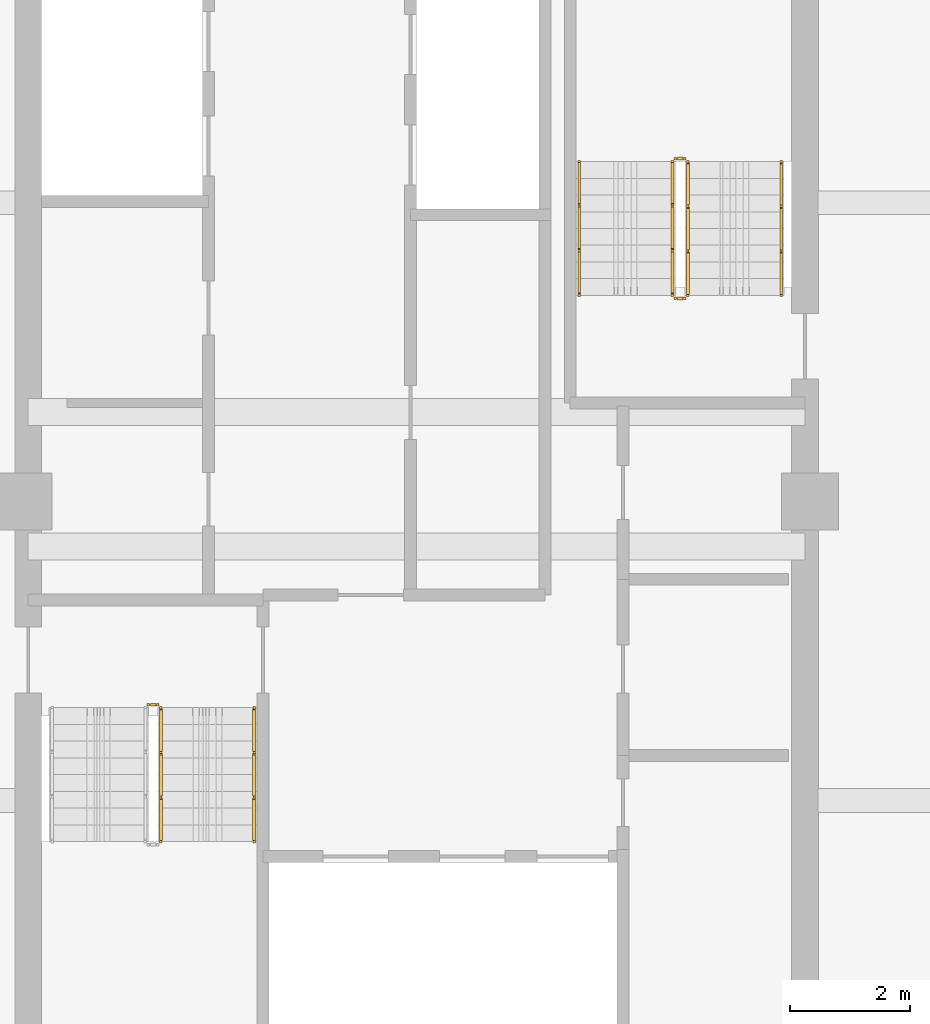
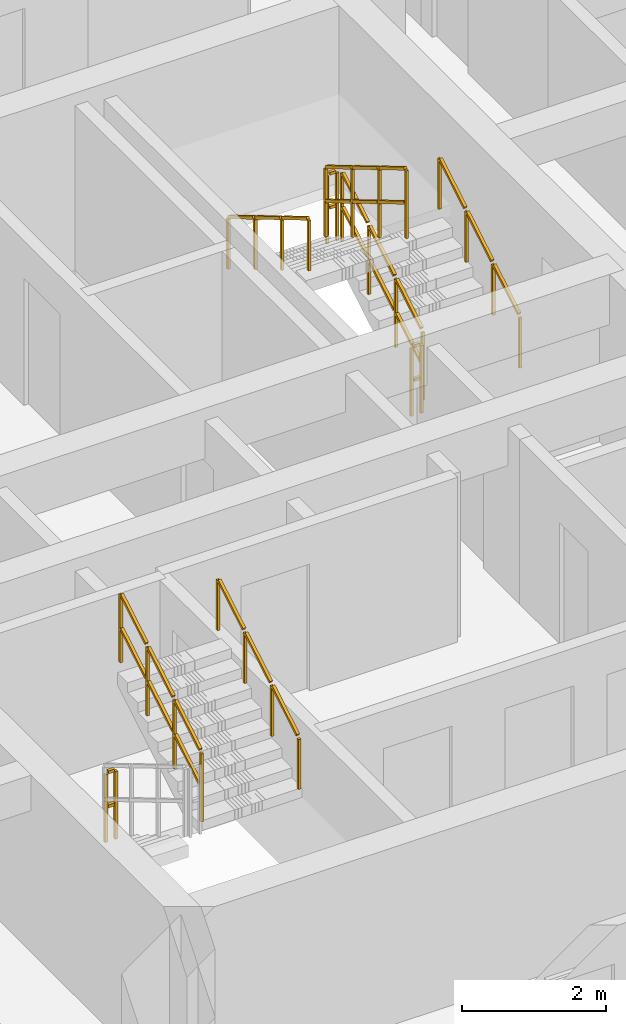
# One storey, part 12 of 14: 9 railings.
"""IFC4 building model written with IfcOpenShell, lengths in metres."""

from ifc_helpers import new_model, si_unit, direction, frame, origin, origin_2d, place, context, subcontext, project, spatial, rectangle, extrude, material, type_object, element, save


model = new_model("IFC4")

# Units and contexts
model_context = context("Model", 3, precision=1e-05, world=origin(), true_north=direction((0.0, 1.0)))
body_context = subcontext(model_context, "Body", "Model", "MODEL_VIEW")
ifc_project = project(units=[si_unit("LENGTHUNIT", "METRE"), si_unit("AREAUNIT", "SQUARE_METRE"), si_unit("VOLUMEUNIT", "CUBIC_METRE"), si_unit("PLANEANGLEUNIT", "RADIAN"), si_unit("MASSUNIT", "GRAM", prefix="KILO")], contexts=[model_context])

# Site, building, storey
site_placement = place(None, origin())
site = spatial("IfcSite", under=ifc_project, at=site_placement, CompositionType="ELEMENT")
building_placement = place(site_placement, origin())
building = spatial("IfcBuilding", under=site, at=building_placement, Name="Saelheon Loggia Tower", CompositionType="ELEMENT")
storey_placement = place(building_placement, frame((0.0, 0.0, 233.10009765625)))
storey = spatial("IfcBuildingStorey", under=building, at=storey_placement, Name="L72", CompositionType="ELEMENT", Elevation=233.10009765625)

# Railings
ifc_material_1 = material(Name="Galvanised Steel S275 Stairwell Guardrail", Category="steel")
railing_type_1 = type_object("IfcRailingType", Name="Guard_StairWell_RL_STG", PredefinedType="GUARDRAIL", material=ifc_material_1)
railing_1_placement = place(storey_placement, frame((33.719970703125, 21.31005859375, 1.66650390625)))
element("IfcRailing", 1, at=railing_1_placement, inside=storey, type_object=railing_type_1, Name="L72 ST1 stair guard 3", PredefinedType="GUARDRAIL", context=body_context, shape_type="SweptSolid", body=[
    extrude(rectangle(XDim=0.048095703125, YDim=0.048095703125, at=origin_2d()), frame((0.0, 0.028564453125, 1.19287109375), z_axis=(0.0, 0.859264461869, 0.511531606619), x_axis=(-1.0, 0.0, 0.0)), (0.0, 0.0, 1.0), 0.802490234375),
    extrude(rectangle(XDim=0.048095703125, YDim=0.048095703125, at=origin_2d()), frame((0.0, 0.028564453125, 0.616943359375), z_axis=(0.0, 0.859264461869, 0.511531606619), x_axis=(-1.0, 0.0, 0.0)), (0.0, 0.0, 1.0), 0.802490234375),
    extrude(rectangle(XDim=0.048095703125, YDim=0.048095703125, at=origin_2d()), frame((0.0, 0.775146484375, 1.637451171875), z_axis=(0.0, 0.859264461869, 0.511531606619), x_axis=(-1.0, 0.0, 0.0)), (0.0, 0.0, 1.0), 0.802490234375),
    extrude(rectangle(XDim=0.048095703125, YDim=0.048095703125, at=origin_2d()), frame((0.0, 0.775146484375, 1.0615234375), z_axis=(0.0, 0.859264461869, 0.511531606619), x_axis=(-1.0, 0.0, 0.0)), (0.0, 0.0, 1.0), 0.802490234375),
    extrude(rectangle(XDim=0.048095703125, YDim=0.048095703125, at=origin_2d()), frame((0.0, 1.52197265625, 2.081787109375), z_axis=(0.0, 0.859264461869, 0.511531606619), x_axis=(-1.0, 0.0, 0.0)), (0.0, 0.0, 1.0), 0.802490234375),
    extrude(rectangle(XDim=0.048095703125, YDim=0.048095703125, at=origin_2d()), frame((0.0, 1.52197265625, 1.505859375), z_axis=(0.0, 0.859264461869, 0.511531606619), x_axis=(-1.0, 0.0, 0.0)), (0.0, 0.0, 1.0), 0.802490234375),
    extrude(rectangle(XDim=0.0419921875, YDim=0.0419921875, at=origin_2d()), origin(), (0.0, 0.0, 1.0), 1.14794921875),
    extrude(rectangle(XDim=0.0419921875, YDim=0.0419921875, at=origin_2d()), frame((0.0, 0.74658203125, 0.444580078125)), (0.0, 0.0, 1.0), 1.14794921875),
    extrude(rectangle(XDim=0.0419921875, YDim=0.0419921875, at=origin_2d()), frame((0.0, 1.493408203125, 0.888916015625)), (0.0, 0.0, 1.0), 1.14794921875),
    extrude(rectangle(XDim=0.0419921875, YDim=0.0419921875, at=origin_2d()), frame((0.0, 2.239990234375, 1.33349609375)), (0.0, 0.0, 1.0), 1.14794921875),
])
railing_2_placement = place(storey_placement, frame((33.510009765625, 23.60009765625, 0.0)))
element("IfcRailing", 2, at=railing_2_placement, inside=storey, type_object=railing_type_1, Name="L72 ST1 stair guard 4", PredefinedType="GUARDRAIL", context=body_context, shape_type="SweptSolid", body=[
    extrude(rectangle(XDim=0.048095703125, YDim=0.048095703125, at=origin_2d()), frame((0.033203125, 0.0, 1.17578125), z_axis=(1.0, 0.0, 0.0), x_axis=(0.0, 1.0, 0.0)), (0.0, 0.0, 1.0), 0.093505859375),
    extrude(rectangle(XDim=0.048095703125, YDim=0.048095703125, at=origin_2d()), frame((0.033203125, 0.0, 0.60009765625), z_axis=(1.0, 0.0, 0.0), x_axis=(0.0, 1.0, 0.0)), (0.0, 0.0, 1.0), 0.093505859375),
    extrude(rectangle(XDim=0.0419921875, YDim=0.0419921875, at=origin_2d()), origin(), (0.0, 0.0, 1.0), 1.14794921875),
    extrude(rectangle(XDim=0.0419921875, YDim=0.0419921875, at=origin_2d()), frame((0.159912109375, 0.0, 0.0)), (0.0, 0.0, 1.0), 1.14794921875),
])
railing_3_placement = place(storey_placement, frame((42.5400390625, 30.449951171875, 0.16650390625)))
element("IfcRailing", 3, at=railing_3_placement, inside=storey, type_object=railing_type_1, Name="L72 ST2 stair guard 1", PredefinedType="GUARDRAIL", context=body_context, shape_type="SweptSolid", body=[
    extrude(rectangle(XDim=0.048095703125, YDim=0.048095703125, at=origin_2d()), frame((0.0, 0.028564453125, 1.19287109375), z_axis=(0.0, 0.859264461869, 0.511531606619), x_axis=(-1.0, 0.0, 0.0)), (0.0, 0.0, 1.0), 0.802490234375),
    extrude(rectangle(XDim=0.048095703125, YDim=0.048095703125, at=origin_2d()), frame((0.0, 0.028564453125, 0.616943359375), z_axis=(0.0, 0.859264461869, 0.511531606619), x_axis=(-1.0, 0.0, 0.0)), (0.0, 0.0, 1.0), 0.802490234375),
    extrude(rectangle(XDim=0.048095703125, YDim=0.048095703125, at=origin_2d()), frame((0.0, 0.775146484375, 1.637451171875), z_axis=(0.0, 0.859264461869, 0.511531606619), x_axis=(-1.0, 0.0, 0.0)), (0.0, 0.0, 1.0), 0.802490234375),
    extrude(rectangle(XDim=0.048095703125, YDim=0.048095703125, at=origin_2d()), frame((0.0, 0.775146484375, 1.0615234375), z_axis=(0.0, 0.859264461869, 0.511531606619), x_axis=(-1.0, 0.0, 0.0)), (0.0, 0.0, 1.0), 0.802490234375),
    extrude(rectangle(XDim=0.048095703125, YDim=0.048095703125, at=origin_2d()), frame((0.0, 1.52197265625, 2.081787109375), z_axis=(0.0, 0.859264461869, 0.511531606619), x_axis=(-1.0, 0.0, 0.0)), (0.0, 0.0, 1.0), 0.802490234375),
    extrude(rectangle(XDim=0.048095703125, YDim=0.048095703125, at=origin_2d()), frame((0.0, 1.52197265625, 1.505859375), z_axis=(0.0, 0.859264461869, 0.511531606619), x_axis=(-1.0, 0.0, 0.0)), (0.0, 0.0, 1.0), 0.802490234375),
    extrude(rectangle(XDim=0.0419921875, YDim=0.0419921875, at=origin_2d()), origin(), (0.0, 0.0, 1.0), 1.14794921875),
    extrude(rectangle(XDim=0.0419921875, YDim=0.0419921875, at=origin_2d()), frame((0.0, 0.74658203125, 0.444580078125)), (0.0, 0.0, 1.0), 1.14794921875),
    extrude(rectangle(XDim=0.0419921875, YDim=0.0419921875, at=origin_2d()), frame((0.0, 1.493408203125, 0.888916015625)), (0.0, 0.0, 1.0), 1.14794921875),
    extrude(rectangle(XDim=0.0419921875, YDim=0.0419921875, at=origin_2d()), frame((0.0, 2.239990234375, 1.33349609375)), (0.0, 0.0, 1.0), 1.14794921875),
])
railing_4_placement = place(storey_placement, frame((42.489990234375, 32.739990234375, 1.5)))
element("IfcRailing", 4, at=railing_4_placement, inside=storey, type_object=railing_type_1, Name="L72 ST2 stair guard 2", PredefinedType="GUARDRAIL", context=body_context, shape_type="SweptSolid", body=[
    extrude(rectangle(XDim=0.048095703125, YDim=0.048095703125, at=origin_2d()), frame((-0.033203125, 0.0, 1.17578125), z_axis=(-1.0, 0.0, 0.0), x_axis=(0.0, -1.0, 0.0)), (0.0, 0.0, 1.0), 0.093505859375),
    extrude(rectangle(XDim=0.048095703125, YDim=0.048095703125, at=origin_2d()), frame((-0.033203125, 0.0, 0.60009765625), z_axis=(-1.0, 0.0, 0.0), x_axis=(0.0, -1.0, 0.0)), (0.0, 0.0, 1.0), 0.093505859375),
    extrude(rectangle(XDim=0.0419921875, YDim=0.0419921875, at=origin_2d()), origin(), (0.0, 0.0, 1.0), 1.14794921875),
    extrude(rectangle(XDim=0.0419921875, YDim=0.0419921875, at=origin_2d()), frame((-0.159912109375, 0.0, 0.0)), (0.0, 0.0, 1.0), 1.14794921875),
])
railing_5_placement = place(storey_placement, frame((42.280029296875, 32.68994140625, 1.66650390625)))
element("IfcRailing", 5, at=railing_5_placement, inside=storey, type_object=railing_type_1, Name="L72 ST2 stair guard 3", PredefinedType="GUARDRAIL", context=body_context, shape_type="SweptSolid", body=[
    extrude(rectangle(XDim=0.048095703125, YDim=0.048095703125, at=origin_2d()), frame((0.0, -0.028564453125, 1.19287109375), z_axis=(0.0, -0.859264461869, 0.511531606619), x_axis=(1.0, 0.0, 0.0)), (0.0, 0.0, 1.0), 0.802490234375),
    extrude(rectangle(XDim=0.048095703125, YDim=0.048095703125, at=origin_2d()), frame((0.0, -0.028564453125, 0.616943359375), z_axis=(0.0, -0.859264461869, 0.511531606619), x_axis=(1.0, 0.0, 0.0)), (0.0, 0.0, 1.0), 0.802490234375),
    extrude(rectangle(XDim=0.048095703125, YDim=0.048095703125, at=origin_2d()), frame((0.0, -0.775146484375, 1.637451171875), z_axis=(0.0, -0.859264461869, 0.511531606619), x_axis=(1.0, 0.0, 0.0)), (0.0, 0.0, 1.0), 0.802490234375),
    extrude(rectangle(XDim=0.048095703125, YDim=0.048095703125, at=origin_2d()), frame((0.0, -0.775146484375, 1.0615234375), z_axis=(0.0, -0.859264461869, 0.511531606619), x_axis=(1.0, 0.0, 0.0)), (0.0, 0.0, 1.0), 0.802490234375),
    extrude(rectangle(XDim=0.048095703125, YDim=0.048095703125, at=origin_2d()), frame((0.0, -1.52197265625, 2.081787109375), z_axis=(0.0, -0.859264461869, 0.511531606619), x_axis=(1.0, 0.0, 0.0)), (0.0, 0.0, 1.0), 0.802490234375),
    extrude(rectangle(XDim=0.048095703125, YDim=0.048095703125, at=origin_2d()), frame((0.0, -1.52197265625, 1.505859375), z_axis=(0.0, -0.859264461869, 0.511531606619), x_axis=(1.0, 0.0, 0.0)), (0.0, 0.0, 1.0), 0.802490234375),
    extrude(rectangle(XDim=0.0419921875, YDim=0.0419921875, at=origin_2d()), origin(), (0.0, 0.0, 1.0), 1.14794921875),
    extrude(rectangle(XDim=0.0419921875, YDim=0.0419921875, at=origin_2d()), frame((0.0, -0.74658203125, 0.444580078125)), (0.0, 0.0, 1.0), 1.14794921875),
    extrude(rectangle(XDim=0.0419921875, YDim=0.0419921875, at=origin_2d()), frame((0.0, -1.493408203125, 0.888916015625)), (0.0, 0.0, 1.0), 1.14794921875),
    extrude(rectangle(XDim=0.0419921875, YDim=0.0419921875, at=origin_2d()), frame((0.0, -2.239990234375, 1.33349609375)), (0.0, 0.0, 1.0), 1.14794921875),
])
railing_6_placement = place(storey_placement, frame((42.489990234375, 30.39990234375, 0.0)))
element("IfcRailing", 6, at=railing_6_placement, inside=storey, type_object=railing_type_1, Name="L72 ST2 stair guard 4", PredefinedType="GUARDRAIL", context=body_context, shape_type="SweptSolid", body=[
    extrude(rectangle(XDim=0.048095703125, YDim=0.048095703125, at=origin_2d()), frame((-0.033203125, 0.0, 1.17578125), z_axis=(-1.0, 0.0, 0.0), x_axis=(0.0, -1.0, 0.0)), (0.0, 0.0, 1.0), 0.093505859375),
    extrude(rectangle(XDim=0.048095703125, YDim=0.048095703125, at=origin_2d()), frame((-0.033203125, 0.0, 0.60009765625), z_axis=(-1.0, 0.0, 0.0), x_axis=(0.0, -1.0, 0.0)), (0.0, 0.0, 1.0), 0.093505859375),
    extrude(rectangle(XDim=0.0419921875, YDim=0.0419921875, at=origin_2d()), origin(), (0.0, 0.0, 1.0), 1.14794921875),
    extrude(rectangle(XDim=0.0419921875, YDim=0.0419921875, at=origin_2d()), frame((-0.159912109375, 0.0, 0.0)), (0.0, 0.0, 1.0), 1.14794921875),
])
ifc_material_2 = material(Name="Stainless Steel 304 Tubular Handrail", Category="steel")
railing_type_2 = type_object("IfcRailingType", Name="Handrail_Stair_RL_HR1", PredefinedType="HANDRAIL", material=ifc_material_2)
for number, where, name in (
    (7, (35.280029296875, 21.31005859375, 1.66650390625), "L72 ST1 stair handrail 2"),
    (8, (44.10009765625, 30.449951171875, 0.16650390625), "L72 ST2 stair handrail 1"),
):
    element("IfcRailing", number, at=place(storey_placement, frame(where)), inside=storey, type_object=railing_type_2, Name=name, PredefinedType="HANDRAIL", context=body_context, shape_type="SweptSolid", body=[
        extrude(rectangle(XDim=0.048095703125, YDim=0.048095703125, at=origin_2d()), frame((0.0, 0.028564453125, 0.892822265625), z_axis=(0.0, 0.859264461869, 0.511531606619), x_axis=(-1.0, 0.0, 0.0)), (0.0, 0.0, 1.0), 0.802490234375),
        extrude(rectangle(XDim=0.048095703125, YDim=0.048095703125, at=origin_2d()), frame((0.0, 0.775146484375, 1.33740234375), z_axis=(0.0, 0.859264461869, 0.511531606619), x_axis=(-1.0, 0.0, 0.0)), (0.0, 0.0, 1.0), 0.802490234375),
        extrude(rectangle(XDim=0.048095703125, YDim=0.048095703125, at=origin_2d()), frame((0.0, 1.52197265625, 1.78173828125), z_axis=(0.0, 0.859264461869, 0.511531606619), x_axis=(-1.0, 0.0, 0.0)), (0.0, 0.0, 1.0), 0.802490234375),
        extrude(rectangle(XDim=0.0419921875, YDim=0.0419921875, at=origin_2d()), origin(), (0.0, 0.0, 1.0), 0.847900390625),
        extrude(rectangle(XDim=0.0419921875, YDim=0.0419921875, at=origin_2d()), frame((0.0, 0.74658203125, 0.444580078125)), (0.0, 0.0, 1.0), 0.847900390625),
        extrude(rectangle(XDim=0.0419921875, YDim=0.0419921875, at=origin_2d()), frame((0.0, 1.493408203125, 0.888916015625)), (0.0, 0.0, 1.0), 0.847900390625),
        extrude(rectangle(XDim=0.0419921875, YDim=0.0419921875, at=origin_2d()), frame((0.0, 2.239990234375, 1.33349609375)), (0.0, 0.0, 1.0), 0.847900390625),
    ])
railing_7_placement = place(storey_placement, frame((40.719970703125, 32.68994140625, 1.66650390625)))
element("IfcRailing", 9, at=railing_7_placement, inside=storey, type_object=railing_type_2, Name="L72 ST2 stair handrail 2", PredefinedType="HANDRAIL", context=body_context, shape_type="SweptSolid", body=[
    extrude(rectangle(XDim=0.048095703125, YDim=0.048095703125, at=origin_2d()), frame((0.0, -0.028564453125, 0.892822265625), z_axis=(0.0, -0.859264461869, 0.511531606619), x_axis=(1.0, 0.0, 0.0)), (0.0, 0.0, 1.0), 0.802490234375),
    extrude(rectangle(XDim=0.048095703125, YDim=0.048095703125, at=origin_2d()), frame((0.0, -0.775146484375, 1.33740234375), z_axis=(0.0, -0.859264461869, 0.511531606619), x_axis=(1.0, 0.0, 0.0)), (0.0, 0.0, 1.0), 0.802490234375),
    extrude(rectangle(XDim=0.048095703125, YDim=0.048095703125, at=origin_2d()), frame((0.0, -1.52197265625, 1.78173828125), z_axis=(0.0, -0.859264461869, 0.511531606619), x_axis=(1.0, 0.0, 0.0)), (0.0, 0.0, 1.0), 0.802490234375),
    extrude(rectangle(XDim=0.0419921875, YDim=0.0419921875, at=origin_2d()), origin(), (0.0, 0.0, 1.0), 0.847900390625),
    extrude(rectangle(XDim=0.0419921875, YDim=0.0419921875, at=origin_2d()), frame((0.0, -0.74658203125, 0.444580078125)), (0.0, 0.0, 1.0), 0.847900390625),
    extrude(rectangle(XDim=0.0419921875, YDim=0.0419921875, at=origin_2d()), frame((0.0, -1.493408203125, 0.888916015625)), (0.0, 0.0, 1.0), 0.847900390625),
    extrude(rectangle(XDim=0.0419921875, YDim=0.0419921875, at=origin_2d()), frame((0.0, -2.239990234375, 1.33349609375)), (0.0, 0.0, 1.0), 0.847900390625),
])

save(model, "model.ifc")
